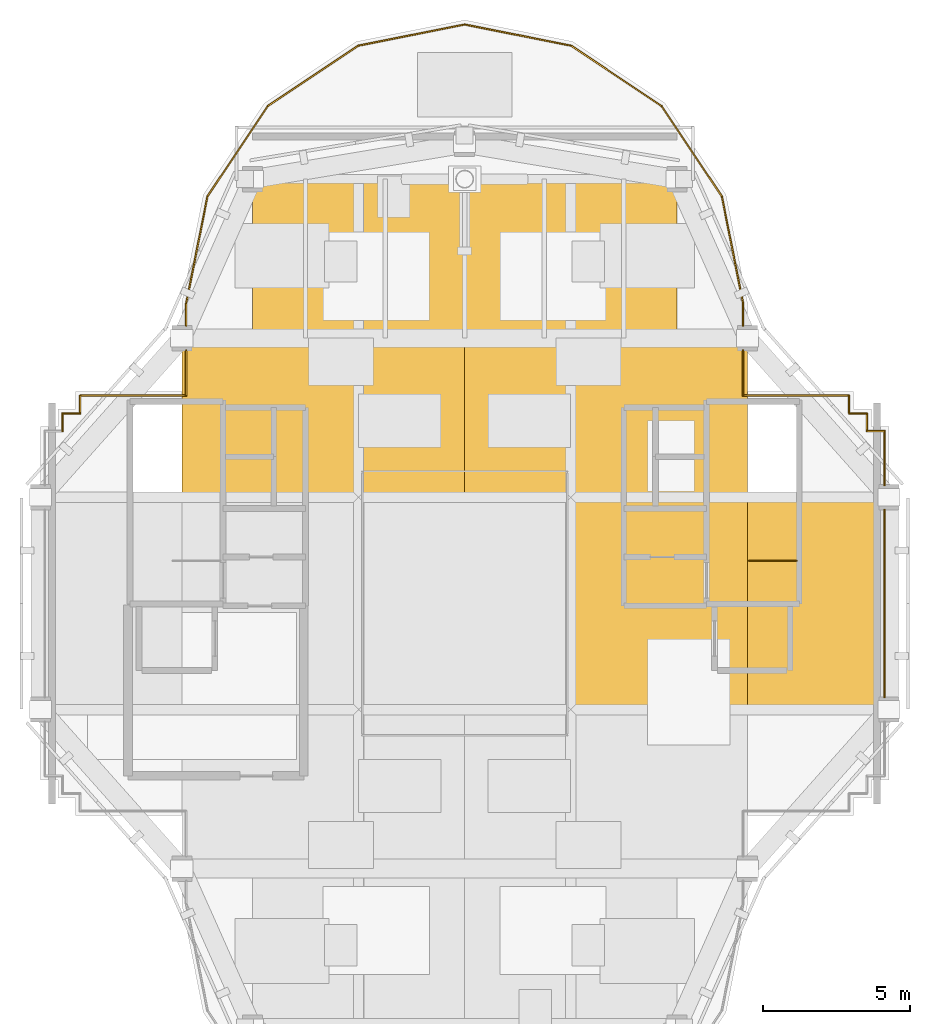
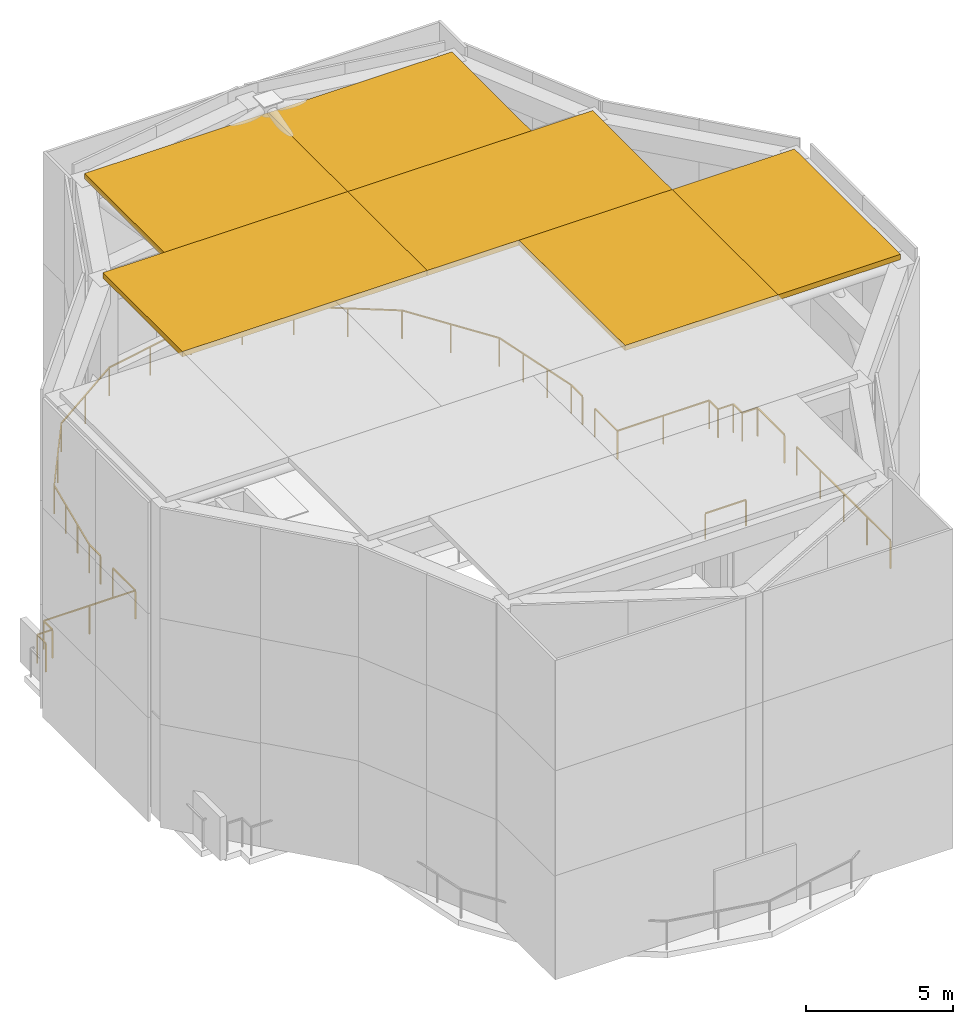
# One storey, part 7 of 8: 24 railings, 6 shading devices.
"""IFC4 building model written with IfcOpenShell, lengths in metres."""

from ifc_helpers import new_model, si_unit, direction, frame, origin, origin_2d, place, context, subcontext, project, spatial, polyline, rectangle, outline, extrude, material, layer, layer_set, type_object, element, save


model = new_model("IFC4")

# Units and contexts
model_context = context("Model", 3, precision=1e-05, world=origin(), true_north=direction((0.0, 1.0)))
body_context = subcontext(model_context, "Body", "Model", "MODEL_VIEW")
ifc_project = project(units=[si_unit("LENGTHUNIT", "METRE"), si_unit("AREAUNIT", "SQUARE_METRE"), si_unit("VOLUMEUNIT", "CUBIC_METRE"), si_unit("PLANEANGLEUNIT", "RADIAN"), si_unit("MASSUNIT", "GRAM", prefix="KILO")], contexts=[model_context])

# Site, building, storey
site_placement = place(None, origin())
site = spatial("IfcSite", under=ifc_project, at=site_placement, CompositionType="ELEMENT")
building_placement = place(site_placement, origin())
building = spatial("IfcBuilding", under=site, at=building_placement, Name="Keilestroom Media Tower", CompositionType="ELEMENT")
storey_placement = place(building_placement, frame((0.0, 0.0, 271.60009765625)))
storey = spatial("IfcBuildingStorey", under=building, at=storey_placement, Name="Roof", CompositionType="ELEMENT", Elevation=271.60009765625)

# Shading devices
ifc_material_1 = material(Name="Bronze Anodised Aluminium", Category="aluminium")
ifc_layer = layer(ifc_material_1, 0.219970703125)
ifc_layer_set = layer_set([ifc_layer], Name="Bronze Anodised Aluminium")
shading_device_type = type_object("IfcShadingDeviceType", Name="Crown-Acoustic-Louvre-Cap-SHD-3", PredefinedType="USERDEFINED", material=ifc_layer_set)
shading_device_1_placement = place(storey_placement, frame((0.0, 0.0, 13.0)))
element("IfcShadingDevice", 1, at=shading_device_1_placement, inside=storey, type_object=shading_device_type, Name="Crown Acoustic Louvre Cap Grille CAP-NW", ObjectType="LOUVER", PredefinedType="USERDEFINED", context=body_context, shape_type="SweptSolid", body=[
    extrude(outline(polyline([(-7.199951171875, 9.0), (0.0, 9.0), (0.0, 14.39990234375), (-7.199951171875, 14.39990234375), (-7.199951171875, 9.0)])), origin(), (0.0, 0.0, 1.0), 0.219970703125),
])
shading_device_2_placement = place(storey_placement, frame((0.0, 0.0, 13.0)))
element("IfcShadingDevice", 2, at=shading_device_2_placement, inside=storey, type_object=shading_device_type, Name="Crown Acoustic Louvre Cap Grille CAP-NE", ObjectType="LOUVER", PredefinedType="USERDEFINED", context=body_context, shape_type="SweptSolid", body=[
    extrude(outline(polyline([(0.0, 9.0), (7.199951171875, 9.0), (7.199951171875, 14.39990234375), (0.0, 14.39990234375), (0.0, 9.0)])), origin(), (0.0, 0.0, 1.0), 0.219970703125),
])
shading_device_3_placement = place(storey_placement, frame((0.0, 0.0, 13.0)))
element("IfcShadingDevice", 3, at=shading_device_3_placement, inside=storey, type_object=shading_device_type, Name="Crown Acoustic Louvre Cap Grille CAP-E", ObjectType="LOUVER", PredefinedType="USERDEFINED", context=body_context, shape_type="SweptSolid", body=[
    extrude(outline(polyline([(9.60009765625, -3.60009765625), (14.39990234375, -3.60009765625), (14.39990234375, 3.60009765625), (9.60009765625, 3.60009765625), (9.60009765625, -3.60009765625)])), origin(), (0.0, 0.0, 1.0), 0.219970703125),
])
shading_device_4_placement = place(storey_placement, frame((0.0, 0.0, 13.0)))
element("IfcShadingDevice", 4, at=shading_device_4_placement, inside=storey, type_object=shading_device_type, Name="Crown Acoustic Louvre Cap Grille WELL-NW", ObjectType="LOUVER", PredefinedType="USERDEFINED", context=body_context, shape_type="SweptSolid", body=[
    extrude(outline(polyline([(-9.60009765625, 3.60009765625), (0.0, 3.60009765625), (0.0, 9.0), (-9.60009765625, 9.0), (-9.60009765625, 3.60009765625)])), origin(), (0.0, 0.0, 1.0), 0.219970703125),
])
shading_device_5_placement = place(storey_placement, frame((0.0, 0.0, 13.0)))
element("IfcShadingDevice", 5, at=shading_device_5_placement, inside=storey, type_object=shading_device_type, Name="Crown Acoustic Louvre Cap Grille WELL-NE", ObjectType="LOUVER", PredefinedType="USERDEFINED", context=body_context, shape_type="SweptSolid", body=[
    extrude(outline(polyline([(0.0, 3.60009765625), (9.60009765625, 3.60009765625), (9.60009765625, 9.0), (0.0, 9.0), (0.0, 3.60009765625)])), origin(), (0.0, 0.0, 1.0), 0.219970703125),
])
shading_device_6_placement = place(storey_placement, frame((0.0, 0.0, 13.0)))
element("IfcShadingDevice", 6, at=shading_device_6_placement, inside=storey, type_object=shading_device_type, Name="Crown Acoustic Louvre Cap Grille WELL-CE", ObjectType="LOUVER", PredefinedType="USERDEFINED", context=body_context, shape_type="SweptSolid", body=[
    extrude(outline(polyline([(3.60009765625, -3.60009765625), (9.60009765625, -3.60009765625), (9.60009765625, 3.60009765625), (3.60009765625, 3.60009765625), (3.60009765625, -3.60009765625)])), origin(), (0.0, 0.0, 1.0), 0.219970703125),
])

# Railings
ifc_material_2 = material(Name="Painted Steel Balustrade", Category="steel")
railing_type_1 = type_object("IfcRailingType", Name="Stair-Well-And-Landing-Guard-1100", PredefinedType="GUARDRAIL", material=ifc_material_2)
railing_1_placement = place(storey_placement, frame((11.260009765625, 1.449951171875, 0.0)))
element("IfcRailing", 7, at=railing_1_placement, inside=storey, type_object=railing_type_1, Name="Roof ST-2 top well guard 1", PredefinedType="GUARDRAIL", context=body_context, shape_type="SweptSolid", body=[
    extrude(rectangle(XDim=0.048095703125, YDim=0.048095703125, at=origin_2d()), frame((0.0, 0.0, 1.076171875), z_axis=(-1.0, 0.0, 0.0), x_axis=(0.0, -1.0, 0.0)), (0.0, 0.0, 1.0), 1.60009765625),
    extrude(rectangle(XDim=0.0419921875, YDim=0.0419921875, at=origin_2d()), origin(), (0.0, 0.0, 1.0), 1.0439453125),
    extrude(rectangle(XDim=0.0419921875, YDim=0.0419921875, at=origin_2d()), frame((-1.60009765625, 0.0, 0.0)), (0.0, 0.0, 1.0), 1.0439453125),
])
ifc_material_3 = material(Name="Laminated Safety Glass & Bronze Aluminium", Category="aluminium")
railing_type_2 = type_object("IfcRailingType", Name="Terrace-And-Atrium-Guard-Balustrade-GD-SKY", PredefinedType="BALUSTRADE", material=ifc_material_3)
railing_2_placement = place(storey_placement, frame((-13.64990234375, 5.85009765625, 0.0)))
element("IfcRailing", 8, at=railing_2_placement, inside=storey, type_object=railing_type_2, Name="Roof Perimeter Safety Balustrade 27", PredefinedType="BALUSTRADE", context=body_context, shape_type="SweptSolid", body=[
    extrude(rectangle(XDim=0.048095703125, YDim=0.048095703125, at=origin_2d()), frame((0.0, 0.0, 1.17578125), z_axis=(0.0, 1.0, 0.0), x_axis=(-1.0, 0.0, 0.0)), (0.0, 0.0, 1.0), 0.599853515625),
    extrude(rectangle(XDim=0.0419921875, YDim=0.0419921875, at=origin_2d()), origin(), (0.0, 0.0, 1.0), 1.143798828125),
    extrude(rectangle(XDim=0.0419921875, YDim=0.0419921875, at=origin_2d()), frame((0.0, 0.599853515625, 0.0)), (0.0, 0.0, 1.0), 1.143798828125),
])
railing_3_placement = place(storey_placement, frame((-13.64990234375, 6.449951171875, 0.0)))
element("IfcRailing", 9, at=railing_3_placement, inside=storey, type_object=railing_type_2, Name="Roof Perimeter Safety Balustrade 28", PredefinedType="BALUSTRADE", context=body_context, shape_type="SweptSolid", body=[
    extrude(rectangle(XDim=0.048095703125, YDim=0.048095703125, at=origin_2d()), frame((0.0, 0.0, 1.17578125), z_axis=(1.0, 0.0, 0.0), x_axis=(0.0, 1.0, 0.0)), (0.0, 0.0, 1.0), 0.599853515625),
    extrude(rectangle(XDim=0.0419921875, YDim=0.0419921875, at=origin_2d()), origin(), (0.0, 0.0, 1.0), 1.143798828125),
    extrude(rectangle(XDim=0.0419921875, YDim=0.0419921875, at=origin_2d()), frame((0.599853515625, 0.0, 0.0)), (0.0, 0.0, 1.0), 1.143798828125),
])
railing_4_placement = place(storey_placement, frame((-13.050048828125, 6.449951171875, 0.0)))
element("IfcRailing", 10, at=railing_4_placement, inside=storey, type_object=railing_type_2, Name="Roof Perimeter Safety Balustrade 29", PredefinedType="BALUSTRADE", context=body_context, shape_type="SweptSolid", body=[
    extrude(rectangle(XDim=0.048095703125, YDim=0.048095703125, at=origin_2d()), frame((0.0, 0.0, 1.17578125), z_axis=(0.0, 1.0, 0.0), x_axis=(-1.0, 0.0, 0.0)), (0.0, 0.0, 1.0), 0.60009765625),
    extrude(rectangle(XDim=0.0419921875, YDim=0.0419921875, at=origin_2d()), origin(), (0.0, 0.0, 1.0), 1.143798828125),
    extrude(rectangle(XDim=0.0419921875, YDim=0.0419921875, at=origin_2d()), frame((0.0, 0.60009765625, 0.0)), (0.0, 0.0, 1.0), 1.143798828125),
])
railing_5_placement = place(storey_placement, frame((-13.050048828125, 7.050048828125, 0.0)))
element("IfcRailing", 11, at=railing_5_placement, inside=storey, type_object=railing_type_2, Name="Roof Perimeter Safety Balustrade 30", PredefinedType="BALUSTRADE", context=body_context, shape_type="SweptSolid", body=[
    extrude(rectangle(XDim=0.048095703125, YDim=0.048095703125, at=origin_2d()), frame((0.0, 0.0, 1.17578125), z_axis=(1.0, 0.0, 0.0), x_axis=(0.0, 1.0, 0.0)), (0.0, 0.0, 1.0), 3.60009765625),
    extrude(rectangle(XDim=0.0419921875, YDim=0.0419921875, at=origin_2d()), origin(), (0.0, 0.0, 1.0), 1.143798828125),
    extrude(rectangle(XDim=0.0419921875, YDim=0.0419921875, at=origin_2d()), frame((1.800048828125, 0.0, 0.0)), (0.0, 0.0, 1.0), 1.143798828125),
    extrude(rectangle(XDim=0.0419921875, YDim=0.0419921875, at=origin_2d()), frame((3.60009765625, 0.0, 0.0)), (0.0, 0.0, 1.0), 1.143798828125),
])
railing_6_placement = place(storey_placement, frame((-9.449951171875, 7.050048828125, 0.0)))
element("IfcRailing", 12, at=railing_6_placement, inside=storey, type_object=railing_type_2, Name="Roof Perimeter Safety Balustrade 31", PredefinedType="BALUSTRADE", context=body_context, shape_type="SweptSolid", body=[
    extrude(rectangle(XDim=0.048095703125, YDim=0.048095703125, at=origin_2d()), frame((0.0, 0.0, 1.17578125), z_axis=(0.0, 1.0, 0.0), x_axis=(-1.0, 0.0, 0.0)), (0.0, 0.0, 1.0), 1.530029296875),
    extrude(rectangle(XDim=0.0419921875, YDim=0.0419921875, at=origin_2d()), origin(), (0.0, 0.0, 1.0), 1.143798828125),
    extrude(rectangle(XDim=0.0419921875, YDim=0.0419921875, at=origin_2d()), frame((0.0, 1.530029296875, 0.0)), (0.0, 0.0, 1.0), 1.143798828125),
])
railing_7_placement = place(storey_placement, frame((-9.449951171875, 9.419921875, 0.0)))
element("IfcRailing", 13, at=railing_7_placement, inside=storey, type_object=railing_type_2, Name="Roof Perimeter Safety Balustrade 32", PredefinedType="BALUSTRADE", context=body_context, shape_type="SweptSolid", body=[
    extrude(rectangle(XDim=0.048095703125, YDim=0.048095703125, at=origin_2d()), frame((0.0, 0.0, 1.17578125), z_axis=(0.0, 1.0, 0.0), x_axis=(-1.0, 0.0, 0.0)), (0.0, 0.0, 1.0), 0.765380859375),
    extrude(rectangle(XDim=0.0419921875, YDim=0.0419921875, at=origin_2d()), origin(), (0.0, 0.0, 1.0), 1.143798828125),
    extrude(rectangle(XDim=0.0419921875, YDim=0.0419921875, at=origin_2d()), frame((0.0, 0.765380859375, 0.0)), (0.0, 0.0, 1.0), 1.143798828125),
])
railing_8_placement = place(storey_placement, frame((-9.449951171875, 10.185302734375, 0.0)))
element("IfcRailing", 14, at=railing_8_placement, inside=storey, type_object=railing_type_2, Name="Roof Perimeter Safety Balustrade 33", PredefinedType="BALUSTRADE", context=body_context, shape_type="SweptSolid", body=[
    extrude(rectangle(XDim=0.048095703125, YDim=0.048095703125, at=origin_2d()), frame((0.0, 0.0, 1.17578125), z_axis=(0.195126549745, 0.980778073564, 0.0), x_axis=(-0.980778073564, 0.195126549745, 0.0)), (0.0, 0.0, 1.0), 3.700927734375),
    extrude(rectangle(XDim=0.0419921875, YDim=0.0419921875, at=origin_2d()), origin(), (0.0, 0.0, 1.0), 1.143798828125),
    extrude(rectangle(XDim=0.0419921875, YDim=0.0419921875, at=origin_2d()), frame((0.24072265625, 1.2099609375, 0.0)), (0.0, 0.0, 1.0), 1.143798828125),
    extrude(rectangle(XDim=0.0419921875, YDim=0.0419921875, at=origin_2d()), frame((0.4814453125, 2.419921875, 0.0)), (0.0, 0.0, 1.0), 1.143798828125),
    extrude(rectangle(XDim=0.0419921875, YDim=0.0419921875, at=origin_2d()), frame((0.72216796875, 3.6298828125, 0.0)), (0.0, 0.0, 1.0), 1.143798828125),
])
railing_9_placement = place(storey_placement, frame((-8.727783203125, 13.815185546875, 0.0)))
element("IfcRailing", 15, at=railing_9_placement, inside=storey, type_object=railing_type_2, Name="Roof Perimeter Safety Balustrade 34", PredefinedType="BALUSTRADE", context=body_context, shape_type="SweptSolid", body=[
    extrude(rectangle(XDim=0.048095703125, YDim=0.048095703125, at=origin_2d()), frame((0.0, 0.0, 1.17578125), z_axis=(0.55551003407, 0.831509832803, 0.0), x_axis=(-0.831509832803, 0.55551003407, 0.0)), (0.0, 0.0, 1.0), 3.68603515625),
    extrude(rectangle(XDim=0.0419921875, YDim=0.0419921875, at=origin_2d()), origin(), (0.0, 0.0, 1.0), 1.143798828125),
    extrude(rectangle(XDim=0.0419921875, YDim=0.0419921875, at=origin_2d()), frame((1.02392578125, 1.532470703125, 0.0)), (0.0, 0.0, 1.0), 1.143798828125),
    extrude(rectangle(XDim=0.0419921875, YDim=0.0419921875, at=origin_2d()), frame((2.047607421875, 3.06494140625, 0.0)), (0.0, 0.0, 1.0), 1.143798828125),
])
railing_10_placement = place(storey_placement, frame((-6.68017578125, 16.880126953125, 0.0)))
element("IfcRailing", 16, at=railing_10_placement, inside=storey, type_object=railing_type_2, Name="Roof Perimeter Safety Balustrade 35", PredefinedType="BALUSTRADE", context=body_context, shape_type="SweptSolid", body=[
    extrude(rectangle(XDim=0.048095703125, YDim=0.048095703125, at=origin_2d()), frame((0.0, 0.0, 1.17578125), z_axis=(0.831479238083, 0.555555826751, 0.0), x_axis=(-0.555555826751, 0.831479238083, 0.0)), (0.0, 0.0, 1.0), 3.68603515625),
    extrude(rectangle(XDim=0.0419921875, YDim=0.0419921875, at=origin_2d()), origin(), (0.0, 0.0, 1.0), 1.143798828125),
    extrude(rectangle(XDim=0.0419921875, YDim=0.0419921875, at=origin_2d()), frame((1.532470703125, 1.02392578125, 0.0)), (0.0, 0.0, 1.0), 1.143798828125),
    extrude(rectangle(XDim=0.0419921875, YDim=0.0419921875, at=origin_2d()), frame((3.06494140625, 2.0478515625, 0.0)), (0.0, 0.0, 1.0), 1.143798828125),
])
railing_11_placement = place(storey_placement, frame((-3.615234375, 18.927978515625, 0.0)))
element("IfcRailing", 17, at=railing_11_placement, inside=storey, type_object=railing_type_2, Name="Roof Perimeter Safety Balustrade 36", PredefinedType="BALUSTRADE", context=body_context, shape_type="SweptSolid", body=[
    extrude(rectangle(XDim=0.048095703125, YDim=0.048095703125, at=origin_2d()), frame((0.0, 0.0, 1.17578125), z_axis=(0.980778871524, 0.195122538865, 0.0), x_axis=(-0.195122538865, 0.980778871524, 0.0)), (0.0, 0.0, 1.0), 3.68603515625),
    extrude(rectangle(XDim=0.0419921875, YDim=0.0419921875, at=origin_2d()), origin(), (0.0, 0.0, 1.0), 1.143798828125),
    extrude(rectangle(XDim=0.0419921875, YDim=0.0419921875, at=origin_2d()), frame((1.8076171875, 0.359619140625, 0.0)), (0.0, 0.0, 1.0), 1.143798828125),
    extrude(rectangle(XDim=0.0419921875, YDim=0.0419921875, at=origin_2d()), frame((3.615234375, 0.71923828125, 0.0)), (0.0, 0.0, 1.0), 1.143798828125),
])
railing_12_placement = place(storey_placement, frame((0.0, 19.647216796875, 0.0)))
element("IfcRailing", 18, at=railing_12_placement, inside=storey, type_object=railing_type_2, Name="Roof Perimeter Safety Balustrade 37", PredefinedType="BALUSTRADE", context=body_context, shape_type="SweptSolid", body=[
    extrude(rectangle(XDim=0.048095703125, YDim=0.048095703125, at=origin_2d()), frame((0.0, 0.0, 1.17578125), z_axis=(0.980778871524, -0.195122538865, 0.0), x_axis=(0.195122538865, 0.980778871524, 0.0)), (0.0, 0.0, 1.0), 3.68603515625),
    extrude(rectangle(XDim=0.0419921875, YDim=0.0419921875, at=origin_2d()), origin(), (0.0, 0.0, 1.0), 1.143798828125),
    extrude(rectangle(XDim=0.0419921875, YDim=0.0419921875, at=origin_2d()), frame((1.8076171875, -0.359619140625, 0.0)), (0.0, 0.0, 1.0), 1.143798828125),
    extrude(rectangle(XDim=0.0419921875, YDim=0.0419921875, at=origin_2d()), frame((3.615234375, -0.71923828125, 0.0)), (0.0, 0.0, 1.0), 1.143798828125),
])
railing_13_placement = place(storey_placement, frame((3.615234375, 18.927978515625, 0.0)))
element("IfcRailing", 19, at=railing_13_placement, inside=storey, type_object=railing_type_2, Name="Roof Perimeter Safety Balustrade 38", PredefinedType="BALUSTRADE", context=body_context, shape_type="SweptSolid", body=[
    extrude(rectangle(XDim=0.048095703125, YDim=0.048095703125, at=origin_2d()), frame((0.0, 0.0, 1.17578125), z_axis=(0.831479238083, -0.555555826751, 0.0), x_axis=(0.555555826751, 0.831479238083, 0.0)), (0.0, 0.0, 1.0), 3.68603515625),
    extrude(rectangle(XDim=0.0419921875, YDim=0.0419921875, at=origin_2d()), origin(), (0.0, 0.0, 1.0), 1.143798828125),
    extrude(rectangle(XDim=0.0419921875, YDim=0.0419921875, at=origin_2d()), frame((1.532470703125, -1.02392578125, 0.0)), (0.0, 0.0, 1.0), 1.143798828125),
    extrude(rectangle(XDim=0.0419921875, YDim=0.0419921875, at=origin_2d()), frame((3.06494140625, -2.0478515625, 0.0)), (0.0, 0.0, 1.0), 1.143798828125),
])
railing_14_placement = place(storey_placement, frame((6.68017578125, 16.880126953125, 0.0)))
element("IfcRailing", 20, at=railing_14_placement, inside=storey, type_object=railing_type_2, Name="Roof Perimeter Safety Balustrade 39", PredefinedType="BALUSTRADE", context=body_context, shape_type="SweptSolid", body=[
    extrude(rectangle(XDim=0.048095703125, YDim=0.048095703125, at=origin_2d()), frame((0.0, 0.0, 1.17578125), z_axis=(0.55551003407, -0.831509832803, 0.0), x_axis=(0.831509832803, 0.55551003407, 0.0)), (0.0, 0.0, 1.0), 3.68603515625),
    extrude(rectangle(XDim=0.0419921875, YDim=0.0419921875, at=origin_2d()), origin(), (0.0, 0.0, 1.0), 1.143798828125),
    extrude(rectangle(XDim=0.0419921875, YDim=0.0419921875, at=origin_2d()), frame((1.02392578125, -1.532470703125, 0.0)), (0.0, 0.0, 1.0), 1.143798828125),
    extrude(rectangle(XDim=0.0419921875, YDim=0.0419921875, at=origin_2d()), frame((2.047607421875, -3.06494140625, 0.0)), (0.0, 0.0, 1.0), 1.143798828125),
])
railing_15_placement = place(storey_placement, frame((8.727783203125, 13.815185546875, 0.0)))
element("IfcRailing", 21, at=railing_15_placement, inside=storey, type_object=railing_type_2, Name="Roof Perimeter Safety Balustrade 40", PredefinedType="BALUSTRADE", context=body_context, shape_type="SweptSolid", body=[
    extrude(rectangle(XDim=0.048095703125, YDim=0.048095703125, at=origin_2d()), frame((0.0, 0.0, 1.17578125), z_axis=(0.195126549745, -0.980778073564, 0.0), x_axis=(0.980778073564, 0.195126549745, 0.0)), (0.0, 0.0, 1.0), 3.700927734375),
    extrude(rectangle(XDim=0.0419921875, YDim=0.0419921875, at=origin_2d()), origin(), (0.0, 0.0, 1.0), 1.143798828125),
    extrude(rectangle(XDim=0.0419921875, YDim=0.0419921875, at=origin_2d()), frame((0.24072265625, -1.2099609375, 0.0)), (0.0, 0.0, 1.0), 1.143798828125),
    extrude(rectangle(XDim=0.0419921875, YDim=0.0419921875, at=origin_2d()), frame((0.4814453125, -2.419921875, 0.0)), (0.0, 0.0, 1.0), 1.143798828125),
    extrude(rectangle(XDim=0.0419921875, YDim=0.0419921875, at=origin_2d()), frame((0.72216796875, -3.6298828125, 0.0)), (0.0, 0.0, 1.0), 1.143798828125),
])
railing_16_placement = place(storey_placement, frame((9.449951171875, 10.185302734375, 0.0)))
element("IfcRailing", 22, at=railing_16_placement, inside=storey, type_object=railing_type_2, Name="Roof Perimeter Safety Balustrade 41", PredefinedType="BALUSTRADE", context=body_context, shape_type="SweptSolid", body=[
    extrude(rectangle(XDim=0.048095703125, YDim=0.048095703125, at=origin_2d()), frame((0.0, 0.0, 1.17578125), z_axis=(0.0, -1.0, 0.0), x_axis=(1.0, 0.0, 0.0)), (0.0, 0.0, 1.0), 0.765380859375),
    extrude(rectangle(XDim=0.0419921875, YDim=0.0419921875, at=origin_2d()), origin(), (0.0, 0.0, 1.0), 1.143798828125),
    extrude(rectangle(XDim=0.0419921875, YDim=0.0419921875, at=origin_2d()), frame((0.0, -0.765380859375, 0.0)), (0.0, 0.0, 1.0), 1.143798828125),
])
railing_17_placement = place(storey_placement, frame((9.449951171875, 8.580078125, 0.0)))
element("IfcRailing", 23, at=railing_17_placement, inside=storey, type_object=railing_type_2, Name="Roof Perimeter Safety Balustrade 42", PredefinedType="BALUSTRADE", context=body_context, shape_type="SweptSolid", body=[
    extrude(rectangle(XDim=0.048095703125, YDim=0.048095703125, at=origin_2d()), frame((0.0, 0.0, 1.17578125), z_axis=(0.0, -1.0, 0.0), x_axis=(1.0, 0.0, 0.0)), (0.0, 0.0, 1.0), 1.530029296875),
    extrude(rectangle(XDim=0.0419921875, YDim=0.0419921875, at=origin_2d()), origin(), (0.0, 0.0, 1.0), 1.143798828125),
    extrude(rectangle(XDim=0.0419921875, YDim=0.0419921875, at=origin_2d()), frame((0.0, -1.530029296875, 0.0)), (0.0, 0.0, 1.0), 1.143798828125),
])
railing_18_placement = place(storey_placement, frame((9.449951171875, 7.050048828125, 0.0)))
element("IfcRailing", 24, at=railing_18_placement, inside=storey, type_object=railing_type_2, Name="Roof Perimeter Safety Balustrade 43", PredefinedType="BALUSTRADE", context=body_context, shape_type="SweptSolid", body=[
    extrude(rectangle(XDim=0.048095703125, YDim=0.048095703125, at=origin_2d()), frame((0.0, 0.0, 1.17578125), z_axis=(1.0, 0.0, 0.0), x_axis=(0.0, 1.0, 0.0)), (0.0, 0.0, 1.0), 3.60009765625),
    extrude(rectangle(XDim=0.0419921875, YDim=0.0419921875, at=origin_2d()), origin(), (0.0, 0.0, 1.0), 1.143798828125),
    extrude(rectangle(XDim=0.0419921875, YDim=0.0419921875, at=origin_2d()), frame((1.800048828125, 0.0, 0.0)), (0.0, 0.0, 1.0), 1.143798828125),
    extrude(rectangle(XDim=0.0419921875, YDim=0.0419921875, at=origin_2d()), frame((3.60009765625, 0.0, 0.0)), (0.0, 0.0, 1.0), 1.143798828125),
])
railing_19_placement = place(storey_placement, frame((13.050048828125, 7.050048828125, 0.0)))
element("IfcRailing", 25, at=railing_19_placement, inside=storey, type_object=railing_type_2, Name="Roof Perimeter Safety Balustrade 44", PredefinedType="BALUSTRADE", context=body_context, shape_type="SweptSolid", body=[
    extrude(rectangle(XDim=0.048095703125, YDim=0.048095703125, at=origin_2d()), frame((0.0, 0.0, 1.17578125), z_axis=(0.0, -1.0, 0.0), x_axis=(1.0, 0.0, 0.0)), (0.0, 0.0, 1.0), 0.60009765625),
    extrude(rectangle(XDim=0.0419921875, YDim=0.0419921875, at=origin_2d()), origin(), (0.0, 0.0, 1.0), 1.143798828125),
    extrude(rectangle(XDim=0.0419921875, YDim=0.0419921875, at=origin_2d()), frame((0.0, -0.60009765625, 0.0)), (0.0, 0.0, 1.0), 1.143798828125),
])
railing_20_placement = place(storey_placement, frame((13.050048828125, 6.449951171875, 0.0)))
element("IfcRailing", 26, at=railing_20_placement, inside=storey, type_object=railing_type_2, Name="Roof Perimeter Safety Balustrade 45", PredefinedType="BALUSTRADE", context=body_context, shape_type="SweptSolid", body=[
    extrude(rectangle(XDim=0.048095703125, YDim=0.048095703125, at=origin_2d()), frame((0.0, 0.0, 1.17578125), z_axis=(1.0, 0.0, 0.0), x_axis=(0.0, 1.0, 0.0)), (0.0, 0.0, 1.0), 0.599853515625),
    extrude(rectangle(XDim=0.0419921875, YDim=0.0419921875, at=origin_2d()), origin(), (0.0, 0.0, 1.0), 1.143798828125),
    extrude(rectangle(XDim=0.0419921875, YDim=0.0419921875, at=origin_2d()), frame((0.599853515625, 0.0, 0.0)), (0.0, 0.0, 1.0), 1.143798828125),
])
railing_21_placement = place(storey_placement, frame((13.64990234375, 6.449951171875, 0.0)))
element("IfcRailing", 27, at=railing_21_placement, inside=storey, type_object=railing_type_2, Name="Roof Perimeter Safety Balustrade 46", PredefinedType="BALUSTRADE", context=body_context, shape_type="SweptSolid", body=[
    extrude(rectangle(XDim=0.048095703125, YDim=0.048095703125, at=origin_2d()), frame((0.0, 0.0, 1.17578125), z_axis=(0.0, -1.0, 0.0), x_axis=(1.0, 0.0, 0.0)), (0.0, 0.0, 1.0), 0.599853515625),
    extrude(rectangle(XDim=0.0419921875, YDim=0.0419921875, at=origin_2d()), origin(), (0.0, 0.0, 1.0), 1.143798828125),
    extrude(rectangle(XDim=0.0419921875, YDim=0.0419921875, at=origin_2d()), frame((0.0, -0.599853515625, 0.0)), (0.0, 0.0, 1.0), 1.143798828125),
])
railing_22_placement = place(storey_placement, frame((13.64990234375, 5.85009765625, 0.0)))
element("IfcRailing", 28, at=railing_22_placement, inside=storey, type_object=railing_type_2, Name="Roof Perimeter Safety Balustrade 47", PredefinedType="BALUSTRADE", context=body_context, shape_type="SweptSolid", body=[
    extrude(rectangle(XDim=0.048095703125, YDim=0.048095703125, at=origin_2d()), frame((0.0, 0.0, 1.17578125), z_axis=(1.0, 0.0, 0.0), x_axis=(0.0, 1.0, 0.0)), (0.0, 0.0, 1.0), 0.60009765625),
    extrude(rectangle(XDim=0.0419921875, YDim=0.0419921875, at=origin_2d()), origin(), (0.0, 0.0, 1.0), 1.143798828125),
    extrude(rectangle(XDim=0.0419921875, YDim=0.0419921875, at=origin_2d()), frame((0.60009765625, 0.0, 0.0)), (0.0, 0.0, 1.0), 1.143798828125),
])
railing_23_placement = place(storey_placement, frame((14.25, 5.85009765625, 0.0)))
element("IfcRailing", 29, at=railing_23_placement, inside=storey, type_object=railing_type_2, Name="Roof Perimeter Safety Balustrade 48", PredefinedType="BALUSTRADE", context=body_context, shape_type="SweptSolid", body=[
    extrude(rectangle(XDim=0.048095703125, YDim=0.048095703125, at=origin_2d()), frame((0.0, 0.0, 1.17578125), z_axis=(0.0, -1.0, 0.0), x_axis=(1.0, 0.0, 0.0)), (0.0, 0.0, 1.0), 1.830078125),
    extrude(rectangle(XDim=0.0419921875, YDim=0.0419921875, at=origin_2d()), origin(), (0.0, 0.0, 1.0), 1.143798828125),
    extrude(rectangle(XDim=0.0419921875, YDim=0.0419921875, at=origin_2d()), frame((0.0, -1.830078125, 0.0)), (0.0, 0.0, 1.0), 1.143798828125),
])
railing_24_placement = place(storey_placement, frame((14.25, 3.179931640625, 0.0)))
element("IfcRailing", 30, at=railing_24_placement, inside=storey, type_object=railing_type_2, Name="Roof Perimeter Safety Balustrade 49", PredefinedType="BALUSTRADE", context=body_context, shape_type="SweptSolid", body=[
    extrude(rectangle(XDim=0.048095703125, YDim=0.048095703125, at=origin_2d()), frame((0.0, 0.0, 1.17578125), z_axis=(0.0, -1.0, 0.0), x_axis=(1.0, 0.0, 0.0)), (0.0, 0.0, 1.0), 6.35986328125),
    extrude(rectangle(XDim=0.0419921875, YDim=0.0419921875, at=origin_2d()), origin(), (0.0, 0.0, 1.0), 1.143798828125),
    extrude(rectangle(XDim=0.0419921875, YDim=0.0419921875, at=origin_2d()), frame((0.0, -1.58984375, 0.0)), (0.0, 0.0, 1.0), 1.143798828125),
    extrude(rectangle(XDim=0.0419921875, YDim=0.0419921875, at=origin_2d()), frame((0.0, -3.179931640625, 0.0)), (0.0, 0.0, 1.0), 1.143798828125),
    extrude(rectangle(XDim=0.0419921875, YDim=0.0419921875, at=origin_2d()), frame((0.0, -4.77001953125, 0.0)), (0.0, 0.0, 1.0), 1.143798828125),
    extrude(rectangle(XDim=0.0419921875, YDim=0.0419921875, at=origin_2d()), frame((0.0, -6.35986328125, 0.0)), (0.0, 0.0, 1.0), 1.143798828125),
])

save(model, "model.ifc")
